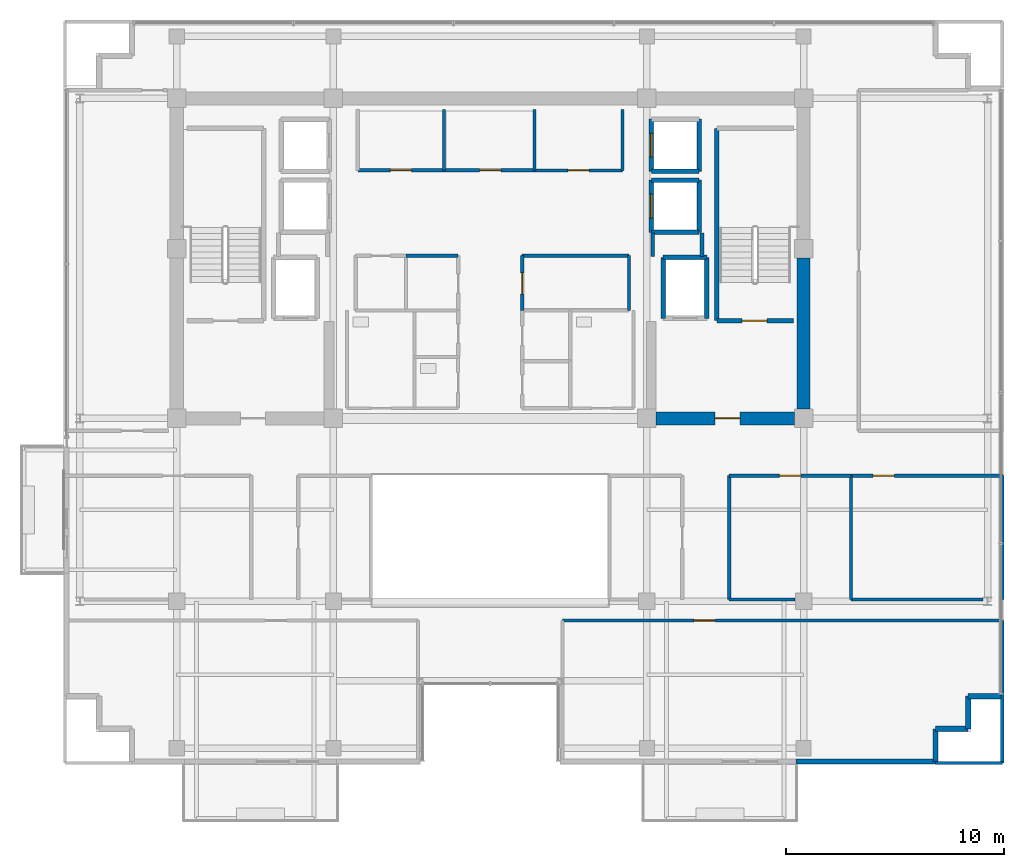
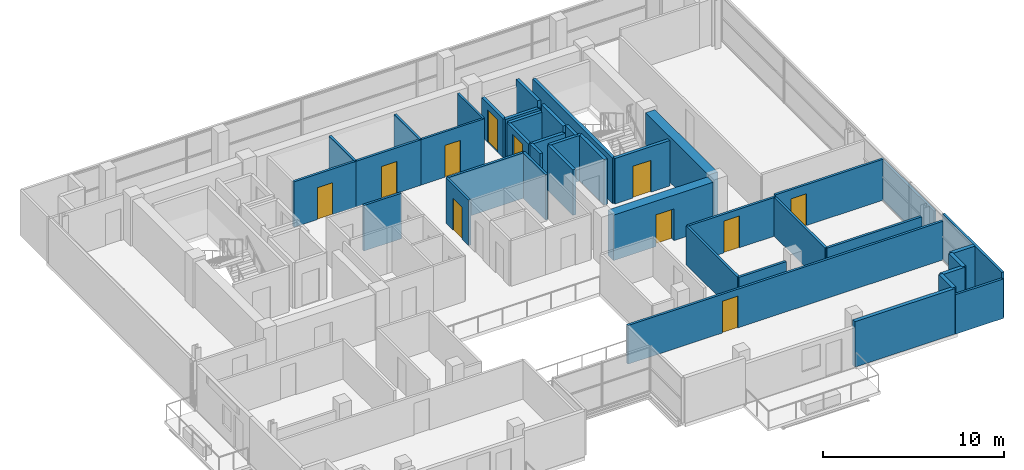
# One storey, part 17 of 21: 41 walls, 11 doors, 11 openings.
"""IFC4 building model written with IfcOpenShell, lengths in metres."""

import ifcopenshell
import ifcopenshell.guid

model = None  # the IFC model being written
_history = None  # IfcOwnerHistory: only IFC2X3 demands one
_inside = {}  # id of a spatial element -> (the spatial element, [elements in it])
_under = {}  # id of a project, library or spatial element -> (it, [spatial elements below it])
_declared = {}  # id of a project -> (the project, [libraries it declares])
_typed = {}  # id of a type object -> (the type object, [elements of that type])
_made_of = {}  # id of a material, layer set ... -> (it, [elements and type objects made of it])


def new_model(schema):
    """Start an empty IFC model of exactly this schema.

    Asked for "IFC4X3", IfcOpenShell would pick the latest addendum, in which some entities
    have other attributes; the version numbers below select the first issue.
    IFC2X3 requires an IfcOwnerHistory on every rooted entity: one is made here for all.
    """
    global model, _history
    if schema == "IFC4X3":
        model = ifcopenshell.file(schema_version=(4, 3, 0, 0))
    else:
        model = ifcopenshell.file(schema=schema)
    _inside.clear()
    _under.clear()
    _declared.clear()
    _typed.clear()
    _made_of.clear()
    _history = None
    if model.schema == "IFC2X3":
        org = make("IfcOrganization", Name="unknown")
        user = make(
            "IfcPersonAndOrganization",
            ThePerson=make("IfcPerson", FamilyName="unknown"),
            TheOrganization=org,
        )
        app = make(
            "IfcApplication",
            ApplicationDeveloper=org,
            Version="unknown",
            ApplicationFullName="unknown",
            ApplicationIdentifier="unknown",
        )
        _history = make(
            "IfcOwnerHistory",
            OwningUser=user,
            OwningApplication=app,
            ChangeAction="ADDED",
            CreationDate=0,
        )
    return model


def make(cls, **values):
    """One entity of the class cls with the attributes given. An attribute that is None is left unset."""
    return model.create_entity(
        cls, **{name: value for name, value in values.items() if value is not None}
    )


def rooted(cls, **values):
    """An entity with a GlobalId (a new one), such as an element, a storey or a relation."""
    return make(cls, GlobalId=ifcopenshell.guid.new(), OwnerHistory=_history, **values)


def si_unit(unit_type, name, prefix=None):
    """IfcSIUnit, for example si_unit("LENGTHUNIT", "METRE", prefix="MILLI")."""
    return make("IfcSIUnit", UnitType=unit_type, Prefix=prefix, Name=name)


def assignment(units):
    """IfcUnitAssignment: the units of a project."""
    return None if units is None else make("IfcUnitAssignment", Units=units)


def point(xyz):
    """IfcCartesianPoint."""
    return None if xyz is None else make("IfcCartesianPoint", Coordinates=xyz)


def direction(xyz):
    """IfcDirection."""
    return None if xyz is None else make("IfcDirection", DirectionRatios=xyz)


def frame(location, z_axis=None, x_axis=None):
    """IfcAxis2Placement3D, a coordinate frame: its origin and axes. An axis left out is left unset."""
    return make(
        "IfcAxis2Placement3D",
        Location=point(location),
        Axis=direction(z_axis),
        RefDirection=direction(x_axis),
    )


def frame_2d(location, x_axis=None):
    """IfcAxis2Placement2D, a coordinate frame in the plane: its origin and x axis."""
    return make(
        "IfcAxis2Placement2D", Location=point(location), RefDirection=direction(x_axis)
    )


def origin():
    """The frame at (0, 0, 0) with its axes left unset."""
    return frame((0.0, 0.0, 0.0))


def place(relative_to, where):
    """IfcLocalPlacement: puts the frame where relative to a parent placement (None: the world)."""
    return make(
        "IfcLocalPlacement", PlacementRelTo=relative_to, RelativePlacement=where
    )


def context(
    kind, dimensions, precision=None, world=None, true_north=None, identifier=None
):
    """IfcGeometricRepresentationContext, for example the 3D "Model" context."""
    return make(
        "IfcGeometricRepresentationContext",
        ContextIdentifier=identifier,
        ContextType=kind,
        CoordinateSpaceDimension=dimensions,
        Precision=precision,
        WorldCoordinateSystem=world,
        TrueNorth=true_north,
    )


def subcontext(parent, identifier, kind, view, scale=None):
    """IfcGeometricRepresentationSubContext, for example "Body" below "Model"."""
    return make(
        "IfcGeometricRepresentationSubContext",
        ContextIdentifier=identifier,
        ContextType=kind,
        ParentContext=parent,
        TargetScale=scale,
        TargetView=view,
    )


def project(units=None, contexts=None):
    """IfcProject with its units and contexts."""
    return rooted(
        "IfcProject",
        Name="project",
        RepresentationContexts=contexts,
        UnitsInContext=assignment(units),
    )


def spatial(cls, under=None, at=None, **own):
    """A site, building, storey or space (cls), placed at a placement, below another one or the project."""
    s = rooted(cls, ObjectPlacement=at, **own)
    if under is not None:
        _under.setdefault(under.id(), (under, []))[1].append(s)
    return s


def profile(cls, at=None, kind="AREA", **sizes):
    """A parametric profile (cls). Its sizes go by their IFC names, for example OverallWidth=200.0."""
    return make(cls, ProfileType=kind, Position=at, **sizes)


def rectangle(**sizes):
    """IfcRectangleProfileDef."""
    return profile("IfcRectangleProfileDef", **sizes)


def extrude(swept, where, along, depth):
    """IfcExtrudedAreaSolid: the profile swept, set in the frame where, extruded along a direction by depth."""
    return make(
        "IfcExtrudedAreaSolid",
        SweptArea=swept,
        Position=where,
        ExtrudedDirection=direction(along),
        Depth=depth,
    )


def shape(context_of_items, identifier, shape_type, items):
    """IfcShapeRepresentation: the items that make up one representation, for example the "Body"."""
    return make(
        "IfcShapeRepresentation",
        ContextOfItems=context_of_items,
        RepresentationIdentifier=identifier,
        RepresentationType=shape_type,
        Items=items,
    )


def source(mapping_origin, context_of_items, identifier, shape_type, items):
    """IfcRepresentationMap: a shape defined once, which mapped items show again and again."""
    return make(
        "IfcRepresentationMap",
        MappingOrigin=mapping_origin,
        MappedRepresentation=shape(context_of_items, identifier, shape_type, items),
    )


def transform(
    local_origin,
    x_axis=None,
    y_axis=None,
    z_axis=None,
    scale=None,
    scale2=None,
    scale3=None,
    uniform=True,
):
    """IfcCartesianTransformationOperator3D, or its non-uniform kind. x_axis, y_axis, z_axis: its Axis1, 2, 3."""
    if uniform:
        return make(
            "IfcCartesianTransformationOperator3D",
            Axis1=direction(x_axis),
            Axis2=direction(y_axis),
            LocalOrigin=point(local_origin),
            Scale=scale,
            Axis3=direction(z_axis),
        )
    return make(
        "IfcCartesianTransformationOperator3DnonUniform",
        Axis1=direction(x_axis),
        Axis2=direction(y_axis),
        LocalOrigin=point(local_origin),
        Scale=scale,
        Axis3=direction(z_axis),
        Scale2=scale2,
        Scale3=scale3,
    )


def mapped(mapping_source, mapping_target):
    """IfcMappedItem: shows the shape of a source again, moved by a transform."""
    return make(
        "IfcMappedItem", MappingSource=mapping_source, MappingTarget=mapping_target
    )


def material(Name=None, Category=None):
    """IfcMaterial."""
    return make("IfcMaterial", Name=Name, Category=Category)


def layer(
    of_material, thickness, ventilated=None, Name=None, Category=None, Priority=None
):
    """IfcMaterialLayer: one layer of a wall or slab, of a material (None: an air gap)."""
    return make(
        "IfcMaterialLayer",
        Material=of_material,
        LayerThickness=thickness,
        IsVentilated=ventilated,
        Name=Name,
        Category=Category,
        Priority=Priority,
    )


def layer_set(layers, Name=None):
    """IfcMaterialLayerSet."""
    return make("IfcMaterialLayerSet", MaterialLayers=layers, LayerSetName=Name)


def made_of(thing, what):
    """Note that an element or type object is made of a material, layer set ...; save() writes the relation."""
    if what is not None:
        _made_of.setdefault(what.id(), (what, []))[1].append(thing)
    return thing


def type_object(cls, material=None, **own):
    """A type object (cls), such as IfcWallType, which elements share."""
    return made_of(rooted(cls, **own), material)


def element(
    cls,
    number,
    at=None,
    inside=None,
    cuts=None,
    type_object=None,
    material=None,
    context=None,
    identifier="Body",
    shape_type=None,
    held_by="IfcProductDefinitionShape",
    body=None,
    shapes=None,
    **own,
):
    """One element of the class cls, such as IfcWall. Its Tag is "e" and its number.

    at: its placement. inside: the storey or other place that contains it. cuts: it is an
    opening in that element (IfcRelVoidsElement). A single representation is given by context,
    identifier, shape_type and body (its items); several are given by shapes. held_by: the class
    of the entity that holds the representations. save() writes the other relations.
    """
    e = rooted(cls, Tag="e%d" % number, ObjectPlacement=at, **own)
    if body is not None:
        shapes = [shape(context, identifier, shape_type, body)]
    if shapes is not None:
        e.Representation = make(held_by, Representations=shapes)
    if inside is not None:
        _inside.setdefault(inside.id(), (inside, []))[1].append(e)
    if cuts is not None:
        rooted(
            "IfcRelVoidsElement", RelatingBuildingElement=cuts, RelatedOpeningElement=e
        )
    if type_object is not None:
        _typed.setdefault(type_object.id(), (type_object, []))[1].append(e)
    return made_of(e, material)


def fill(opening, filler):
    """IfcRelFillsElement: the door or window that sits in an opening."""
    return rooted(
        "IfcRelFillsElement",
        RelatingOpeningElement=opening,
        RelatedBuildingElement=filler,
    )


def aggregate(whole, parts):
    """IfcRelAggregates: a whole, such as a stair, and the parts it consists of."""
    return rooted("IfcRelAggregates", RelatingObject=whole, RelatedObjects=parts)


def save(model, path):
    """Write the relations noted so far, then the file.

    IfcRelAggregates (storeys below a building ...), IfcRelContainedInSpatialStructure (elements
    in a storey), IfcRelDefinesByType, IfcRelAssociatesMaterial and IfcRelDeclares: one each for
    every whole, place, type object, material and project.
    """
    for whole, parts in _under.values():
        aggregate(whole, parts)
    for where, things in _inside.values():
        rooted(
            "IfcRelContainedInSpatialStructure",
            RelatedElements=things,
            RelatingStructure=where,
        )
    for kind, things in _typed.values():
        rooted("IfcRelDefinesByType", RelatedObjects=things, RelatingType=kind)
    for what, things in _made_of.values():
        rooted("IfcRelAssociatesMaterial", RelatedObjects=things, RelatingMaterial=what)
    for by, libraries in _declared.values():
        rooted("IfcRelDeclares", RelatingContext=by, RelatedDefinitions=libraries)
    model.write(path)


model = new_model("IFC4")

# Units and contexts
model_context = context("Model", 3, precision=1e-05, world=origin(), true_north=direction((0.0, 1.0)))
body_context = subcontext(model_context, "Body", "Model", "MODEL_VIEW")
ifc_project = project(units=[si_unit("LENGTHUNIT", "METRE"), si_unit("AREAUNIT", "SQUARE_METRE"), si_unit("VOLUMEUNIT", "CUBIC_METRE"), si_unit("PLANEANGLEUNIT", "RADIAN"), si_unit("MASSUNIT", "GRAM", prefix="KILO")], contexts=[model_context])

# Site, building, storey
site_placement = place(None, origin())
site = spatial("IfcSite", under=ifc_project, at=site_placement, CompositionType="ELEMENT")
building_placement = place(site_placement, origin())
building = spatial("IfcBuilding", under=site, at=building_placement, Name="Zarnakvel Exchange Tower", CompositionType="ELEMENT")
storey_placement = place(building_placement, frame((0.0, 0.0, 241.89990234375)))
storey = spatial("IfcBuildingStorey", under=building, at=storey_placement, Name="L68", CompositionType="ELEMENT", Elevation=241.89990234375)

# Wall
ifc_material_1 = material(Name="Concrete C50/60", Category="concrete")
ifc_layer_1 = layer(ifc_material_1, 0.60009765625)
ifc_layer_set_1 = layer_set([ifc_layer_1], Name="Concrete C50/60")
wall_type_1 = type_object("IfcWallType", Name="CW-C5", PredefinedType="SHEAR", material=ifc_layer_set_1)
wall_1_placement = place(storey_placement, frame((14.39990234375, -0.77490234375, 0.0), z_axis=(0.0, 0.0, 1.0), x_axis=(0.0, 1.0, 0.0)))
element("IfcWall", 1, at=wall_1_placement, inside=storey, type_object=wall_type_1, Name="L68 Rear Core Shear Wall E1 (CW-C5)", PredefinedType="SHEAR", context=body_context, shape_type="SweptSolid", body=[
    extrude(rectangle(XDim=6.949951171875, YDim=0.60009765625, at=frame_2d((3.47509765625, 0.0))), origin(), (0.0, 0.0, 1.0), 3.0751953125),
])

# Wall, opening, door
wall_2_placement = place(storey_placement, frame((13.97509765625, -1.199951171875, 0.0), z_axis=(0.0, 0.0, 1.0), x_axis=(-1.0, 0.0, 0.0)))
wall_2 = element("IfcWall", 2, at=wall_2_placement, inside=storey, type_object=wall_type_1, Name="L68 Rear Core Shear Wall SE (CW-C5)", PredefinedType="SHEAR", context=body_context, shape_type="SweptSolid", body=[
    extrude(rectangle(XDim=6.35009765625, YDim=0.60009765625, at=frame_2d((3.175048828125, 0.0))), origin(), (0.0, 0.0, 1.0), 3.0751953125),
])
opening_1_placement = place(wall_2_placement, frame((2.5, 0.0, 0.0)))
opening_1 = element("IfcOpeningElement", 3, at=opening_1_placement, cuts=wall_2, Name="Opening D-L68-04", PredefinedType="OPENING", context=body_context, shape_type="SweptSolid", body=[
    extrude(rectangle(XDim=1.14990234375, YDim=2.14990234375, at=frame_2d((0.574951171875, 1.074951171875))), frame((0.0, 0.31005859375, 0.0), z_axis=(0.0, -1.0, 0.0), x_axis=(1.0, 0.0, 0.0)), (0.0, 0.0, 1.0), 0.6201171875),
])
ifc_material_2 = material(Name="Painted Galvanised Steel S355", Category="steel")
door_type_1 = type_object("IfcDoorType", Name="DT-04", OperationType="NOTDEFINED", PredefinedType="DOOR", material=ifc_material_2)
shared_shape_1 = source(origin(), body_context, "Body", "SweptSolid", [
    extrude(rectangle(XDim=1.14990234375, YDim=2.14990234375, at=frame_2d((0.574951171875, 1.074951171875))), frame((0.0, 0.02490234375, 0.0), z_axis=(0.0, -1.0, 0.0), x_axis=(1.0, 0.0, 0.0)), (0.0, 0.0, 1.0), 0.050048828125),
])
door_1_placement = place(opening_1_placement, origin())
door_1 = element("IfcDoor", 4, at=door_1_placement, inside=storey, type_object=door_type_1, Name="L68 Firefighting Lobby East Door D-L68-04", OperationType="SINGLE_SWING_RIGHT", OverallHeight=2.14990234375, OverallWidth=1.14990234375, PredefinedType="DOOR", context=body_context, shape_type="MappedRepresentation", body=[
    mapped(shared_shape_1, transform((0.0, 0.0, 0.0), x_axis=(1.0, 0.0, 0.0), y_axis=(0.0, 1.0, 0.0), z_axis=(0.0, 0.0, 1.0), scale=1.0)),
])
fill(opening_1, door_1)

# Walls
ifc_material_3 = material(Name="Precast concrete C40/50", Category="concrete")
ifc_layer_2 = layer(ifc_material_3, 0.239990234375)
ifc_layer_set_2 = layer_set([ifc_layer_2], Name="Precast concrete C40/50")
wall_type_2 = type_object("IfcWallType", Name="EW-02", PredefinedType="SOLIDWALL", material=ifc_layer_set_2)
for number, where, z_axis, x_axis, name in (
    (5, (21.9599609375, -13.9599609375, 0.0), (0.0, 0.0, 1.0), (1.0, 0.0, 0.0), "L68 Exterior Precast Spandrel Wall EWC-L68-11 (EW-02)"),
    (6, (21.9599609375, -15.4599609375, 0.0), (0.0, 0.0, 1.0), (0.0, 1.0, 0.0), "L68 Exterior Precast Spandrel Wall EWC-L68-12 (EW-02)"),
    (7, (20.4599609375, -15.4599609375, 0.0), (0.0, 0.0, 1.0), (1.0, 0.0, 0.0), "L68 Exterior Precast Spandrel Wall EWC-L68-13 (EW-02)"),
    (8, (20.4599609375, -16.9599609375, 0.0), (0.0, 0.0, 1.0), (0.0, 1.0, 0.0), "L68 Exterior Precast Spandrel Wall EWC-L68-14 (EW-02)"),
):
    element("IfcWall", number, at=place(storey_placement, frame(where, z_axis=z_axis, x_axis=x_axis)), inside=storey, type_object=wall_type_2, Name=name, PredefinedType="SOLIDWALL", context=body_context, shape_type="SweptSolid", body=[
        extrude(rectangle(XDim=1.5, YDim=0.239990234375, at=frame_2d((0.75, 0.0))), origin(), (0.0, 0.0, 1.0), 3.0751953125),
    ])
wall_3_placement = place(storey_placement, frame((14.050048828125, -16.9599609375, 0.0), z_axis=(0.0, 0.0, 1.0), x_axis=(1.0, 0.0, 0.0)))
element("IfcWall", 9, at=wall_3_placement, inside=storey, type_object=wall_type_2, Name="L68 Exterior Precast Spandrel Wall EWC-L68-15 (EW-02)", PredefinedType="SOLIDWALL", context=body_context, shape_type="SweptSolid", body=[
    extrude(rectangle(XDim=6.409912109375, YDim=0.239990234375, at=frame_2d((3.205078125, 0.0))), origin(), (0.0, 0.0, 1.0), 3.0751953125),
])

# Wall, opening, door
ifc_material_4 = material(Name="Fire-Rated Gypsum Stud Partition", Category="gypsum")
ifc_layer_3 = layer(ifc_material_4, 0.14990234375)
ifc_layer_set_3 = layer_set([ifc_layer_3], Name="Fire-Rated Gypsum Stud Partition")
wall_type_3 = type_object("IfcWallType", Name="PT-01", PredefinedType="PARTITIONING", material=ifc_layer_set_3)
wall_4_placement = place(storey_placement, frame((-2.1201171875, 10.199951171875, 0.0), z_axis=(0.0, 0.0, 1.0), x_axis=(-1.0, 0.0, 0.0)))
wall_4 = element("IfcWall", 10, at=wall_4_placement, inside=storey, type_object=wall_type_3, Name="L68 Partition Wall PWALL-L68-011 (PT-01)", PredefinedType="PARTITIONING", context=body_context, shape_type="SweptSolid", body=[
    extrude(rectangle(XDim=3.9599609375, YDim=0.14990234375, at=frame_2d((1.97998046875, 0.0))), origin(), (0.0, 0.0, 1.0), 3.0751953125),
])
opening_2_placement = place(wall_4_placement, frame((1.489990234375, 0.0, 0.0)))
opening_2 = element("IfcOpeningElement", 11, at=opening_2_placement, cuts=wall_4, Name="Opening D-L68-05", PredefinedType="OPENING", context=body_context, shape_type="SweptSolid", body=[
    extrude(rectangle(XDim=0.97998046875, YDim=2.14990234375, at=frame_2d((0.489990234375, 1.074951171875))), frame((0.0, 0.0849609375, 0.0), z_axis=(0.0, -1.0, 0.0), x_axis=(1.0, 0.0, 0.0)), (0.0, 0.0, 1.0), 0.169921875),
])
ifc_material_5 = material(Name="Timber Acoustic Veneer", Category="wood")
door_type_2 = type_object("IfcDoorType", Name="DT-05", OperationType="NOTDEFINED", PredefinedType="DOOR", material=ifc_material_5)
shared_shape_2 = source(origin(), body_context, "Body", "SweptSolid", [
    extrude(rectangle(XDim=0.97998046875, YDim=2.14990234375, at=frame_2d((0.489990234375, 1.074951171875))), frame((0.0, 0.02490234375, 0.0), z_axis=(0.0, -1.0, 0.0), x_axis=(1.0, 0.0, 0.0)), (0.0, 0.0, 1.0), 0.050048828125),
])
door_2_placement = place(opening_2_placement, origin())
door_2 = element("IfcDoor", 12, at=door_2_placement, inside=storey, type_object=door_type_2, Name="L68 Clearing Records Office Door D-L68-05", OperationType="SINGLE_SWING_LEFT", OverallHeight=2.14990234375, OverallWidth=0.97998046875, PredefinedType="DOOR", context=body_context, shape_type="MappedRepresentation", body=[
    mapped(shared_shape_2, transform((0.0, 0.0, 0.0), x_axis=(1.0, 0.0, 0.0), y_axis=(0.0, 1.0, 0.0), z_axis=(0.0, 0.0, 1.0), scale=1.0)),
])
fill(opening_2, door_2)

# Wall
wall_5_placement = place(storey_placement, frame((-2.1201171875, 13.0, 0.0), z_axis=(0.0, 0.0, 1.0), x_axis=(0.0, -1.0, 0.0)))
element("IfcWall", 13, at=wall_5_placement, inside=storey, type_object=wall_type_3, Name="L68 Partition Wall PWALL-L68-013 (PT-01)", PredefinedType="PARTITIONING", context=body_context, shape_type="SweptSolid", body=[
    extrude(rectangle(XDim=2.800048828125, YDim=0.14990234375, at=frame_2d((1.39990234375, 0.0))), origin(), (0.0, 0.0, 1.0), 3.0751953125),
])

# Wall, opening, door
wall_6_placement = place(storey_placement, frame((2.0400390625, 10.199951171875, 0.0), z_axis=(0.0, 0.0, 1.0), x_axis=(-1.0, 0.0, 0.0)))
wall_6 = element("IfcWall", 14, at=wall_6_placement, inside=storey, type_object=wall_type_3, Name="L68 Partition Wall PWALL-L68-014 (PT-01)", PredefinedType="PARTITIONING", context=body_context, shape_type="SweptSolid", body=[
    extrude(rectangle(XDim=4.16015625, YDim=0.14990234375, at=frame_2d((2.080078125, 0.0))), origin(), (0.0, 0.0, 1.0), 3.0751953125),
])
opening_3_placement = place(wall_6_placement, frame((1.550048828125, 0.0, 0.0)))
opening_3 = element("IfcOpeningElement", 15, at=opening_3_placement, cuts=wall_6, Name="Opening D-L68-06", PredefinedType="OPENING", context=body_context, shape_type="SweptSolid", body=[
    extrude(rectangle(XDim=0.97998046875, YDim=2.14990234375, at=frame_2d((0.489990234375, 1.074951171875))), frame((0.0, 0.0849609375, 0.0), z_axis=(0.0, -1.0, 0.0), x_axis=(1.0, 0.0, 0.0)), (0.0, 0.0, 1.0), 0.169921875),
])
door_3_placement = place(opening_3_placement, origin())
door_3 = element("IfcDoor", 16, at=door_3_placement, inside=storey, type_object=door_type_2, Name="L68 Brokerage Filing Room Door D-L68-06", OperationType="SINGLE_SWING_RIGHT", OverallHeight=2.14990234375, OverallWidth=0.97998046875, PredefinedType="DOOR", context=body_context, shape_type="MappedRepresentation", body=[
    mapped(shared_shape_2, transform((0.0, 0.0, 0.0), x_axis=(1.0, 0.0, 0.0), y_axis=(0.0, 1.0, 0.0), z_axis=(0.0, 0.0, 1.0), scale=1.0)),
])
fill(opening_3, door_3)

# Walls
wall_7_placement = place(storey_placement, frame((2.0400390625, 13.0, 0.0), z_axis=(0.0, 0.0, 1.0), x_axis=(0.0, -1.0, 0.0)))
element("IfcWall", 17, at=wall_7_placement, inside=storey, type_object=wall_type_3, Name="L68 Partition Wall PWALL-L68-015 (PT-01)", PredefinedType="PARTITIONING", context=body_context, shape_type="SweptSolid", body=[
    extrude(rectangle(XDim=2.800048828125, YDim=0.14990234375, at=frame_2d((1.39990234375, 0.0))), origin(), (0.0, 0.0, 1.0), 3.0751953125),
])
wall_8_placement = place(storey_placement, frame((-3.8701171875, 6.280029296875, 0.0), z_axis=(0.0, 0.0, 1.0), x_axis=(1.0, 0.0, 0.0)))
element("IfcWall", 18, at=wall_8_placement, inside=storey, type_object=wall_type_3, Name="L68 Partition Wall PWALL-L68-023 (PT-01)", PredefinedType="PARTITIONING", context=body_context, shape_type="SweptSolid", body=[
    extrude(rectangle(XDim=2.400146484375, YDim=0.14990234375, at=frame_2d((1.2001953125, 0.0))), origin(), (0.0, 0.0, 1.0), 3.0751953125),
])
wall_9_placement = place(storey_placement, frame((1.469970703125, 6.280029296875, 0.0), z_axis=(0.0, 0.0, 1.0), x_axis=(1.0, 0.0, 0.0)))
element("IfcWall", 19, at=wall_9_placement, inside=storey, type_object=wall_type_3, Name="L68 Partition Wall PWALL-L68-026 (PT-01)", PredefinedType="PARTITIONING", context=body_context, shape_type="SweptSolid", body=[
    extrude(rectangle(XDim=4.909912109375, YDim=0.14990234375, at=frame_2d((2.455078125, 0.0))), origin(), (0.0, 0.0, 1.0), 3.0751953125),
])

# Wall, opening, door
wall_10_placement = place(storey_placement, frame((1.469970703125, 3.760009765625, 0.0), z_axis=(0.0, 0.0, 1.0), x_axis=(0.0, 1.0, 0.0)))
wall_10 = element("IfcWall", 20, at=wall_10_placement, inside=storey, type_object=wall_type_3, Name="L68 Partition Wall PWALL-L68-027 (PT-01)", PredefinedType="PARTITIONING", context=body_context, shape_type="SweptSolid", body=[
    extrude(rectangle(XDim=2.52001953125, YDim=0.14990234375, at=frame_2d((1.260009765625, 0.0))), origin(), (0.0, 0.0, 1.0), 3.0751953125),
])
opening_4_placement = place(wall_10_placement, frame((0.75, 0.0, 0.0)))
opening_4 = element("IfcOpeningElement", 21, at=opening_4_placement, cuts=wall_10, Name="Opening D-L68-10", PredefinedType="OPENING", context=body_context, shape_type="SweptSolid", body=[
    extrude(rectangle(XDim=0.97998046875, YDim=2.14990234375, at=frame_2d((0.489990234375, 1.074951171875))), frame((0.0, 0.0849609375, 0.0), z_axis=(0.0, -1.0, 0.0), x_axis=(1.0, 0.0, 0.0)), (0.0, 0.0, 1.0), 0.169921875),
])
door_4_placement = place(opening_4_placement, origin())
door_4 = element("IfcDoor", 22, at=door_4_placement, inside=storey, type_object=door_type_2, Name="L68 Telemetry Server Suite Door D-L68-10", OperationType="SINGLE_SWING_RIGHT", OverallHeight=2.14990234375, OverallWidth=0.97998046875, PredefinedType="DOOR", context=body_context, shape_type="MappedRepresentation", body=[
    mapped(shared_shape_2, transform((0.0, 0.0, 0.0), x_axis=(1.0, 0.0, 0.0), y_axis=(0.0, 1.0, 0.0), z_axis=(0.0, 0.0, 1.0), scale=1.0)),
])
fill(opening_4, door_4)

# Walls
wall_11_placement = place(storey_placement, frame((6.3798828125, 6.280029296875, 0.0), z_axis=(0.0, 0.0, 1.0), x_axis=(0.0, -1.0, 0.0)))
element("IfcWall", 23, at=wall_11_placement, inside=storey, type_object=wall_type_3, Name="L68 Partition Wall PWALL-L68-028 (PT-01)", PredefinedType="PARTITIONING", context=body_context, shape_type="SweptSolid", body=[
    extrude(rectangle(XDim=2.52001953125, YDim=0.14990234375, at=frame_2d((1.260009765625, 0.0))), origin(), (0.0, 0.0, 1.0), 3.0751953125),
])
wall_12_placement = place(storey_placement, frame((14.0048828125, -9.52001953125, 0.0), z_axis=(0.0, 0.0, 1.0), x_axis=(-1.0, 0.0, 0.0)))
element("IfcWall", 24, at=wall_12_placement, inside=storey, type_object=wall_type_3, Name="L68 Partition Wall PWALL-L68-052 (PT-01)", PredefinedType="PARTITIONING", context=body_context, shape_type="SweptSolid", body=[
    extrude(rectangle(XDim=3.02490234375, YDim=0.14990234375, at=frame_2d((1.512451171875, 0.0))), origin(), (0.0, 0.0, 1.0), 2.614990234375),
])

# Wall, opening, door
wall_13_placement = place(storey_placement, frame((10.97998046875, -3.830078125, 0.0), z_axis=(0.0, 0.0, 1.0), x_axis=(1.0, 0.0, 0.0)))
wall_13 = element("IfcWall", 25, at=wall_13_placement, inside=storey, type_object=wall_type_3, Name="L68 Partition Wall PWALL-L68-053 (PT-01)", PredefinedType="PARTITIONING", context=body_context, shape_type="SweptSolid", body=[
    extrude(rectangle(XDim=5.595703125, YDim=0.14990234375, at=frame_2d((2.7978515625, 0.0))), origin(), (0.0, 0.0, 1.0), 2.614990234375),
])
opening_5_placement = place(wall_13_placement, frame((2.30810546875, 0.0, 0.0)))
opening_5 = element("IfcOpeningElement", 26, at=opening_5_placement, cuts=wall_13, Name="Opening D-L68-19", PredefinedType="OPENING", context=body_context, shape_type="SweptSolid", body=[
    extrude(rectangle(XDim=0.97998046875, YDim=2.14990234375, at=frame_2d((0.489990234375, 1.074951171875))), frame((0.0, 0.0849609375, 0.0), z_axis=(0.0, -1.0, 0.0), x_axis=(1.0, 0.0, 0.0)), (0.0, 0.0, 1.0), 0.169921875),
])
door_5_placement = place(opening_5_placement, origin())
door_5 = element("IfcDoor", 27, at=door_5_placement, inside=storey, type_object=door_type_2, Name="L68 Meeting Room Door D-L68-19", OperationType="SINGLE_SWING_LEFT", OverallHeight=2.14990234375, OverallWidth=0.97998046875, PredefinedType="DOOR", context=body_context, shape_type="MappedRepresentation", body=[
    mapped(shared_shape_2, transform((0.0, 0.0, 0.0), x_axis=(1.0, 0.0, 0.0), y_axis=(0.0, 1.0, 0.0), z_axis=(0.0, 0.0, 1.0), scale=1.0)),
])
fill(opening_5, door_5)

# Walls
for number, where, z_axis, x_axis, name in (
    (28, (10.97998046875, -9.52001953125, 0.0), (0.0, 0.0, 1.0), (0.0, 1.0, 0.0), "L68 Partition Wall PWALL-L68-054 (PT-01)"),
    (29, (16.57568359375, -3.830078125, 0.0), (0.0, 0.0, 1.0), (0.0, -1.0, 0.0), "L68 Partition Wall PWALL-L68-055 (PT-01)"),
):
    element("IfcWall", number, at=place(storey_placement, frame(where, z_axis=z_axis, x_axis=x_axis)), inside=storey, type_object=wall_type_3, Name=name, PredefinedType="PARTITIONING", context=body_context, shape_type="SweptSolid", body=[
        extrude(rectangle(XDim=5.68994140625, YDim=0.14990234375, at=frame_2d((2.844970703125, 0.0))), origin(), (0.0, 0.0, 1.0), 2.614990234375),
    ])
wall_14_placement = place(storey_placement, frame((22.642578125, -9.52001953125, 0.0), z_axis=(0.0, 0.0, 1.0), x_axis=(-1.0, 0.0, 0.0)))
element("IfcWall", 30, at=wall_14_placement, inside=storey, type_object=wall_type_3, Name="L68 Partition Wall PWALL-L68-056 (PT-01)", PredefinedType="PARTITIONING", context=body_context, shape_type="SweptSolid", body=[
    extrude(rectangle(XDim=6.06689453125, YDim=0.14990234375, at=frame_2d((3.033447265625, 0.0))), origin(), (0.0, 0.0, 1.0), 2.614990234375),
])

# Wall, opening, door
wall_15_placement = place(storey_placement, frame((16.57568359375, -3.830078125, 0.0), z_axis=(0.0, 0.0, 1.0), x_axis=(1.0, 0.0, 0.0)))
wall_15 = element("IfcWall", 31, at=wall_15_placement, inside=storey, type_object=wall_type_3, Name="L68 Partition Wall PWALL-L68-057 (PT-01)", PredefinedType="PARTITIONING", context=body_context, shape_type="SweptSolid", body=[
    extrude(rectangle(XDim=6.954345703125, YDim=0.14990234375, at=frame_2d((3.47705078125, 0.0))), origin(), (0.0, 0.0, 1.0), 2.76513671875),
])
opening_6_placement = place(wall_15_placement, frame((1.012451171875, 0.0, 0.0)))
opening_6 = element("IfcOpeningElement", 32, at=opening_6_placement, cuts=wall_15, Name="Opening D-L68-20", PredefinedType="OPENING", context=body_context, shape_type="SweptSolid", body=[
    extrude(rectangle(XDim=0.97998046875, YDim=2.14990234375, at=frame_2d((0.489990234375, 1.074951171875))), frame((0.0, 0.0849609375, 0.0), z_axis=(0.0, -1.0, 0.0), x_axis=(1.0, 0.0, 0.0)), (0.0, 0.0, 1.0), 0.169921875),
])
door_6_placement = place(opening_6_placement, origin())
door_6 = element("IfcDoor", 33, at=door_6_placement, inside=storey, type_object=door_type_2, Name="L68 Executive Office Door D-L68-20", OperationType="SINGLE_SWING_RIGHT", OverallHeight=2.14990234375, OverallWidth=0.97998046875, PredefinedType="DOOR", context=body_context, shape_type="MappedRepresentation", body=[
    mapped(shared_shape_2, transform((0.0, 0.0, 0.0), x_axis=(1.0, 0.0, 0.0), y_axis=(0.0, 1.0, 0.0), z_axis=(0.0, 0.0, 1.0), scale=1.0)),
])
fill(opening_6, door_6)

# Walls
wall_16_placement = place(storey_placement, frame((23.530029296875, -3.830078125, 0.0), z_axis=(0.0, 0.0, 1.0), x_axis=(0.0, -1.0, 0.0)))
element("IfcWall", 34, at=wall_16_placement, inside=storey, type_object=wall_type_3, Name="L68 Partition Wall PWALL-L68-058 (PT-01)", PredefinedType="PARTITIONING", context=body_context, shape_type="SweptSolid", body=[
    extrude(rectangle(XDim=5.68994140625, YDim=0.14990234375, at=frame_2d((2.844970703125, 0.0))), origin(), (0.0, 0.0, 1.0), 2.6650390625),
])
wall_17_placement = place(storey_placement, frame((23.530029296875, -17.030029296875, 0.0), z_axis=(0.0, 0.0, 1.0), x_axis=(-1.0, 0.0, 0.0)))
element("IfcWall", 35, at=wall_17_placement, inside=storey, type_object=wall_type_3, Name="L68 Partition Wall PWALL-L68-059 (PT-01)", PredefinedType="PARTITIONING", context=body_context, shape_type="SweptSolid", body=[
    extrude(rectangle(XDim=3.070068359375, YDim=0.14990234375, at=frame_2d((1.53515625, 0.0))), origin(), (0.0, 0.0, 1.0), 2.6650390625),
])

# Wall, opening, door
wall_18_placement = place(storey_placement, frame((3.320068359375, -10.47998046875, 0.0), z_axis=(0.0, 0.0, 1.0), x_axis=(1.0, 0.0, 0.0)))
wall_18 = element("IfcWall", 36, at=wall_18_placement, inside=storey, type_object=wall_type_3, Name="L68 Partition Wall PWALL-L68-060 (PT-01)", PredefinedType="PARTITIONING", context=body_context, shape_type="SweptSolid", body=[
    extrude(rectangle(XDim=20.2099609375, YDim=0.14990234375, at=frame_2d((10.10498046875, 0.0))), origin(), (0.0, 0.0, 1.0), 2.614990234375),
])
opening_7_placement = place(wall_18_placement, frame((6.0400390625, 0.0, 0.0)))
opening_7 = element("IfcOpeningElement", 37, at=opening_7_placement, cuts=wall_18, Name="Opening D-L68-21", PredefinedType="OPENING", context=body_context, shape_type="SweptSolid", body=[
    extrude(rectangle(XDim=0.97998046875, YDim=2.14990234375, at=frame_2d((0.489990234375, 1.074951171875))), frame((0.0, 0.0849609375, 0.0), z_axis=(0.0, -1.0, 0.0), x_axis=(1.0, 0.0, 0.0)), (0.0, 0.0, 1.0), 0.169921875),
])
door_7_placement = place(opening_7_placement, origin())
door_7 = element("IfcDoor", 38, at=door_7_placement, inside=storey, type_object=door_type_2, Name="L68 Asset Management Office Door D-L68-21", OperationType="SINGLE_SWING_LEFT", OverallHeight=2.14990234375, OverallWidth=0.97998046875, PredefinedType="DOOR", context=body_context, shape_type="MappedRepresentation", body=[
    mapped(shared_shape_2, transform((0.0, 0.0, 0.0), x_axis=(1.0, 0.0, 0.0), y_axis=(0.0, 1.0, 0.0), z_axis=(0.0, 0.0, 1.0), scale=1.0)),
])
fill(opening_7, door_7)

# Walls
wall_19_placement = place(storey_placement, frame((23.530029296875, -10.47998046875, 0.0), z_axis=(0.0, 0.0, 1.0), x_axis=(0.0, -1.0, 0.0)))
element("IfcWall", 39, at=wall_19_placement, inside=storey, type_object=wall_type_3, Name="L68 Partition Wall PWALL-L68-062 (PT-01)", PredefinedType="PARTITIONING", context=body_context, shape_type="SweptSolid", body=[
    extrude(rectangle(XDim=6.550048828125, YDim=0.14990234375, at=frame_2d((3.27490234375, 0.0))), origin(), (0.0, 0.0, 1.0), 3.0751953125),
])
ifc_layer_4 = layer(ifc_material_4, 0.179931640625)
ifc_layer_set_4 = layer_set([ifc_layer_4], Name="Fire-Rated Gypsum Stud Partition")
wall_type_4 = type_object("IfcWallType", Name="PT-02", PredefinedType="PARTITIONING", material=ifc_layer_set_4)
wall_20_placement = place(storey_placement, frame((7.469970703125, 6.239990234375, 0.0), z_axis=(0.0, 0.0, 1.0), x_axis=(0.0, 1.0, 0.0)))
element("IfcWall", 40, at=wall_20_placement, inside=storey, type_object=wall_type_4, Name="L68 Partition Wall PWALL-L68-009 (PT-02)", PredefinedType="PARTITIONING", context=body_context, shape_type="SweptSolid", body=[
    extrude(rectangle(XDim=1.090087890625, YDim=0.179931640625, at=frame_2d((0.544921875, 0.0))), origin(), (0.0, 0.0, 1.0), 2.614990234375),
])
wall_21_placement = place(storey_placement, frame((9.72998046875, 7.330078125, 0.0), z_axis=(0.0, 0.0, 1.0), x_axis=(0.0, -1.0, 0.0)))
element("IfcWall", 41, at=wall_21_placement, inside=storey, type_object=wall_type_4, Name="L68 Partition Wall PWALL-L68-010 (PT-02)", PredefinedType="PARTITIONING", context=body_context, shape_type="SweptSolid", body=[
    extrude(rectangle(XDim=1.090087890625, YDim=0.179931640625, at=frame_2d((0.544921875, 0.0))), origin(), (0.0, 0.0, 1.0), 3.0751953125),
])

# Wall, opening, door
ifc_material_6 = material(Name="Moisture-Resistant Tile-Faced Partition", Category="gypsum")
ifc_layer_5 = layer(ifc_material_6, 0.135009765625)
ifc_layer_set_5 = layer_set([ifc_layer_5], Name="Moisture-Resistant Tile-Faced Partition")
wall_type_5 = type_object("IfcWallType", Name="PT-03", PredefinedType="PARTITIONING", material=ifc_layer_set_5)
wall_22_placement = place(storey_placement, frame((6.080078125, 10.199951171875, 0.0), z_axis=(0.0, 0.0, 1.0), x_axis=(-1.0, 0.0, 0.0)))
wall_22 = element("IfcWall", 42, at=wall_22_placement, inside=storey, type_object=wall_type_5, Name="L68 Partition Wall PWALL-L68-016 (PT-03)", PredefinedType="PARTITIONING", context=body_context, shape_type="SweptSolid", body=[
    extrude(rectangle(XDim=4.0400390625, YDim=0.135009765625, at=frame_2d((2.02001953125, 0.0))), origin(), (0.0, 0.0, 1.0), 3.0751953125),
])
opening_8_placement = place(wall_22_placement, frame((1.530029296875, 0.0, 0.0)))
opening_8 = element("IfcOpeningElement", 43, at=opening_8_placement, cuts=wall_22, Name="Opening D-L68-07", PredefinedType="OPENING", context=body_context, shape_type="SweptSolid", body=[
    extrude(rectangle(XDim=0.97998046875, YDim=2.14990234375, at=frame_2d((0.489990234375, 1.074951171875))), frame((0.0, 0.077392578125, 0.0), z_axis=(0.0, -1.0, 0.0), x_axis=(1.0, 0.0, 0.0)), (0.0, 0.0, 1.0), 0.155029296875),
])
door_8_placement = place(opening_8_placement, origin())
door_8 = element("IfcDoor", 44, at=door_8_placement, inside=storey, type_object=door_type_2, Name="L68 Executive Tea Pantry Door D-L68-07", OperationType="SINGLE_SWING_LEFT", OverallHeight=2.14990234375, OverallWidth=0.97998046875, PredefinedType="DOOR", context=body_context, shape_type="MappedRepresentation", body=[
    mapped(shared_shape_2, transform((0.0, 0.0, 0.0), x_axis=(1.0, 0.0, 0.0), y_axis=(0.0, 1.0, 0.0), z_axis=(0.0, 0.0, 1.0), scale=1.0)),
])
fill(opening_8, door_8)

# Walls
wall_23_placement = place(storey_placement, frame((6.080078125, 13.0, 0.0), z_axis=(0.0, 0.0, 1.0), x_axis=(0.0, -1.0, 0.0)))
element("IfcWall", 45, at=wall_23_placement, inside=storey, type_object=wall_type_5, Name="L68 Partition Wall PWALL-L68-017 (PT-03)", PredefinedType="PARTITIONING", context=body_context, shape_type="SweptSolid", body=[
    extrude(rectangle(XDim=2.800048828125, YDim=0.135009765625, at=frame_2d((1.39990234375, 0.0))), origin(), (0.0, 0.0, 1.0), 3.0751953125),
])
ifc_material_7 = material(Name="Concrete C40/50", Category="concrete")
ifc_layer_6 = layer(ifc_material_7, 0.199951171875)
ifc_layer_set_6 = layer_set([ifc_layer_6], Name="Concrete C40/50")
wall_type_6 = type_object("IfcWallType", Name="SW-01", PredefinedType="SOLIDWALL", material=ifc_layer_set_6)
wall_24_placement = place(storey_placement, frame((7.949951171875, 6.199951171875, 0.0), z_axis=(0.0, 0.0, 1.0), x_axis=(1.0, 0.0, 0.0)))
element("IfcWall", 46, at=wall_24_placement, inside=storey, type_object=wall_type_6, Name="L68 FL-02 Hoistway Wall North", PredefinedType="SOLIDWALL", context=body_context, shape_type="SweptSolid", body=[
    extrude(rectangle(XDim=2.0, YDim=0.199951171875, at=frame_2d((1.0, 0.0))), origin(), (0.0, 0.0, 1.0), 3.0751953125),
])
for number, where, z_axis, x_axis, name in (
    (47, (7.949951171875, 3.39990234375, 0.0), (0.0, 0.0, 1.0), (0.0, 1.0, 0.0), "L68 FL-02 Hoistway Wall West"),
    (48, (9.949951171875, 6.199951171875, 0.0), (0.0, 0.0, 1.0), (0.0, -1.0, 0.0), "L68 FL-02 Hoistway Wall East"),
):
    element("IfcWall", number, at=place(storey_placement, frame(where, z_axis=z_axis, x_axis=x_axis)), inside=storey, type_object=wall_type_6, Name=name, PredefinedType="SOLIDWALL", context=body_context, shape_type="SweptSolid", body=[
        extrude(rectangle(XDim=2.800048828125, YDim=0.199951171875, at=frame_2d((1.39990234375, 0.0))), origin(), (0.0, 0.0, 1.0), 3.0751953125),
    ])
for number, where, z_axis, x_axis, name in (
    (49, (9.60009765625, 7.35009765625, 0.0), (0.0, 0.0, 1.0), (-1.0, 0.0, 0.0), "L68 PL-11 Hoistway Wall South"),
    (50, (7.39990234375, 9.75, 0.0), (0.0, 0.0, 1.0), (1.0, 0.0, 0.0), "L68 PL-11 Hoistway Wall North"),
):
    element("IfcWall", number, at=place(storey_placement, frame(where, z_axis=z_axis, x_axis=x_axis)), inside=storey, type_object=wall_type_6, Name=name, PredefinedType="SOLIDWALL", context=body_context, shape_type="SweptSolid", body=[
        extrude(rectangle(XDim=2.2001953125, YDim=0.199951171875, at=frame_2d((1.10009765625, 0.0))), origin(), (0.0, 0.0, 1.0), 2.614990234375),
    ])

# Wall, opening, door
wall_25_placement = place(storey_placement, frame((7.39990234375, 7.35009765625, 0.0), z_axis=(0.0, 0.0, 1.0), x_axis=(0.0, 1.0, 0.0)))
wall_25 = element("IfcWall", 51, at=wall_25_placement, inside=storey, type_object=wall_type_6, Name="L68 PL-11 Hoistway Wall West", PredefinedType="SOLIDWALL", context=body_context, shape_type="SweptSolid", body=[
    extrude(rectangle(XDim=2.39990234375, YDim=0.199951171875, at=frame_2d((1.199951171875, 0.0))), origin(), (0.0, 0.0, 1.0), 2.614990234375),
])
opening_9_placement = place(wall_25_placement, frame((0.64990234375, 0.0, 0.0)))
opening_9 = element("IfcOpeningElement", 52, at=opening_9_placement, cuts=wall_25, Name="Opening LD-PL-11-L68", PredefinedType="OPENING", context=body_context, shape_type="SweptSolid", body=[
    extrude(rectangle(XDim=1.10009765625, YDim=2.199951171875, at=frame_2d((0.550048828125, 1.10009765625))), frame((0.0, 0.10986328125, 0.0), z_axis=(0.0, -1.0, 0.0), x_axis=(1.0, 0.0, 0.0)), (0.0, 0.0, 1.0), 0.219970703125),
])
ifc_material_8 = material(Name="Architectural Bronze Anodised Aluminium", Category="aluminium")
door_type_3 = type_object("IfcDoorType", Name="LDT-02", OperationType="NOTDEFINED", PredefinedType="DOOR", material=ifc_material_8)
shared_shape_3 = source(origin(), body_context, "Body", "SweptSolid", [
    extrude(rectangle(XDim=1.10009765625, YDim=2.199951171875, at=frame_2d((0.550048828125, 1.10009765625))), frame((0.0, 0.02490234375, 0.0), z_axis=(0.0, -1.0, 0.0), x_axis=(1.0, 0.0, 0.0)), (0.0, 0.0, 1.0), 0.050048828125),
])
door_9_placement = place(opening_9_placement, origin())
door_9 = element("IfcDoor", 53, at=door_9_placement, inside=storey, type_object=door_type_3, Name="L68 PL-11 Lift Landing Door LD-PL-11-L68", OperationType="DOUBLE_DOOR_SLIDING", OverallHeight=2.199951171875, OverallWidth=1.10009765625, PredefinedType="DOOR", context=body_context, shape_type="MappedRepresentation", body=[
    mapped(shared_shape_3, transform((0.0, 0.0, 0.0), x_axis=(1.0, 0.0, 0.0), y_axis=(0.0, 1.0, 0.0), z_axis=(0.0, 0.0, 1.0), scale=1.0)),
])
fill(opening_9, door_9)

# Walls
wall_26_placement = place(storey_placement, frame((9.60009765625, 9.75, 0.0), z_axis=(0.0, 0.0, 1.0), x_axis=(0.0, -1.0, 0.0)))
element("IfcWall", 54, at=wall_26_placement, inside=storey, type_object=wall_type_6, Name="L68 PL-11 Hoistway Wall East", PredefinedType="SOLIDWALL", context=body_context, shape_type="SweptSolid", body=[
    extrude(rectangle(XDim=2.39990234375, YDim=0.199951171875, at=frame_2d((1.199951171875, 0.0))), origin(), (0.0, 0.0, 1.0), 3.0751953125),
])
wall_27_placement = place(storey_placement, frame((9.60009765625, 10.14990234375, 0.0), z_axis=(0.0, 0.0, 1.0), x_axis=(-1.0, 0.0, 0.0)))
element("IfcWall", 55, at=wall_27_placement, inside=storey, type_object=wall_type_6, Name="L68 PL-12 Hoistway Wall South", PredefinedType="SOLIDWALL", context=body_context, shape_type="SweptSolid", body=[
    extrude(rectangle(XDim=2.2001953125, YDim=0.199951171875, at=frame_2d((1.10009765625, 0.0))), origin(), (0.0, 0.0, 1.0), 2.614990234375),
])

# Wall, opening, door
wall_28_placement = place(storey_placement, frame((7.39990234375, 10.14990234375, 0.0), z_axis=(0.0, 0.0, 1.0), x_axis=(0.0, 1.0, 0.0)))
wall_28 = element("IfcWall", 56, at=wall_28_placement, inside=storey, type_object=wall_type_6, Name="L68 PL-12 Hoistway Wall West", PredefinedType="SOLIDWALL", context=body_context, shape_type="SweptSolid", body=[
    extrude(rectangle(XDim=2.400146484375, YDim=0.199951171875, at=frame_2d((1.2001953125, 0.0))), origin(), (0.0, 0.0, 1.0), 2.614990234375),
])
opening_10_placement = place(wall_28_placement, frame((0.64990234375, 0.0, 0.0)))
opening_10 = element("IfcOpeningElement", 57, at=opening_10_placement, cuts=wall_28, Name="Opening LD-PL-12-L68", PredefinedType="OPENING", context=body_context, shape_type="SweptSolid", body=[
    extrude(rectangle(XDim=1.10009765625, YDim=2.199951171875, at=frame_2d((0.550048828125, 1.10009765625))), frame((0.0, 0.10986328125, 0.0), z_axis=(0.0, -1.0, 0.0), x_axis=(1.0, 0.0, 0.0)), (0.0, 0.0, 1.0), 0.219970703125),
])
door_10_placement = place(opening_10_placement, origin())
door_10 = element("IfcDoor", 58, at=door_10_placement, inside=storey, type_object=door_type_3, Name="L68 PL-12 Lift Landing Door LD-PL-12-L68", OperationType="DOUBLE_DOOR_SLIDING", OverallHeight=2.199951171875, OverallWidth=1.10009765625, PredefinedType="DOOR", context=body_context, shape_type="MappedRepresentation", body=[
    mapped(shared_shape_3, transform((0.0, 0.0, 0.0), x_axis=(1.0, 0.0, 0.0), y_axis=(0.0, 1.0, 0.0), z_axis=(0.0, 0.0, 1.0), scale=1.0)),
])
fill(opening_10, door_10)

# Wall
wall_29_placement = place(storey_placement, frame((9.60009765625, 12.550048828125, 0.0), z_axis=(0.0, 0.0, 1.0), x_axis=(0.0, -1.0, 0.0)))
element("IfcWall", 59, at=wall_29_placement, inside=storey, type_object=wall_type_6, Name="L68 PL-12 Hoistway Wall East", PredefinedType="SOLIDWALL", context=body_context, shape_type="SweptSolid", body=[
    extrude(rectangle(XDim=2.400146484375, YDim=0.199951171875, at=frame_2d((1.2001953125, 0.0))), origin(), (0.0, 0.0, 1.0), 3.0751953125),
])

# Wall, opening, door
ifc_layer_7 = layer(ifc_material_7, 0.199951171875)
ifc_layer_set_7 = layer_set([ifc_layer_7], Name="Concrete C40/50")
wall_type_7 = type_object("IfcWallType", Name="SW-02", PredefinedType="SOLIDWALL", material=ifc_layer_set_7)
wall_30_placement = place(storey_placement, frame((13.929931640625, 3.2900390625, 0.0), z_axis=(0.0, 0.0, 1.0), x_axis=(-1.0, 0.0, 0.0)))
wall_30 = element("IfcWall", 60, at=wall_30_placement, inside=storey, type_object=wall_type_7, Name="L68 Stairwell Core Wall PWALL-L68-004 (SW-02)", PredefinedType="SOLIDWALL", context=body_context, shape_type="SweptSolid", body=[
    extrude(rectangle(XDim=3.52001953125, YDim=0.199951171875, at=frame_2d((1.760009765625, 0.0))), origin(), (0.0, 0.0, 1.0), 3.0751953125),
])
opening_11_placement = place(wall_30_placement, frame((1.205078125, 0.0, 0.0)))
opening_11 = element("IfcOpeningElement", 61, at=opening_11_placement, cuts=wall_30, Name="Opening D-L68-02", PredefinedType="OPENING", context=body_context, shape_type="SweptSolid", body=[
    extrude(rectangle(XDim=1.14990234375, YDim=2.14990234375, at=frame_2d((0.574951171875, 1.074951171875))), frame((0.0, 0.10986328125, 0.0), z_axis=(0.0, -1.0, 0.0), x_axis=(1.0, 0.0, 0.0)), (0.0, 0.0, 1.0), 0.219970703125),
])
door_11_placement = place(opening_11_placement, origin())
door_11 = element("IfcDoor", 62, at=door_11_placement, inside=storey, type_object=door_type_1, Name="L68 Stairwell ST-02 Door D-L68-02", OperationType="SINGLE_SWING_RIGHT", OverallHeight=2.14990234375, OverallWidth=1.14990234375, PredefinedType="DOOR", context=body_context, shape_type="MappedRepresentation", body=[
    mapped(shared_shape_1, transform((0.0, 0.0, 0.0), x_axis=(1.0, 0.0, 0.0), y_axis=(0.0, 1.0, 0.0), z_axis=(0.0, 0.0, 1.0), scale=1.0)),
])
fill(opening_11, door_11)

# Wall
wall_31_placement = place(storey_placement, frame((10.409912109375, 3.2900390625, 0.0), z_axis=(0.0, 0.0, 1.0), x_axis=(0.0, 1.0, 0.0)))
element("IfcWall", 63, at=wall_31_placement, inside=storey, type_object=wall_type_7, Name="L68 Stairwell Core Wall PWALL-L68-006 (SW-02)", PredefinedType="SOLIDWALL", context=body_context, shape_type="SweptSolid", body=[
    extrude(rectangle(XDim=8.83984375, YDim=0.199951171875, at=frame_2d((4.419921875, 0.0))), origin(), (0.0, 0.0, 1.0), 3.0751953125),
])

save(model, "model.ifc")
